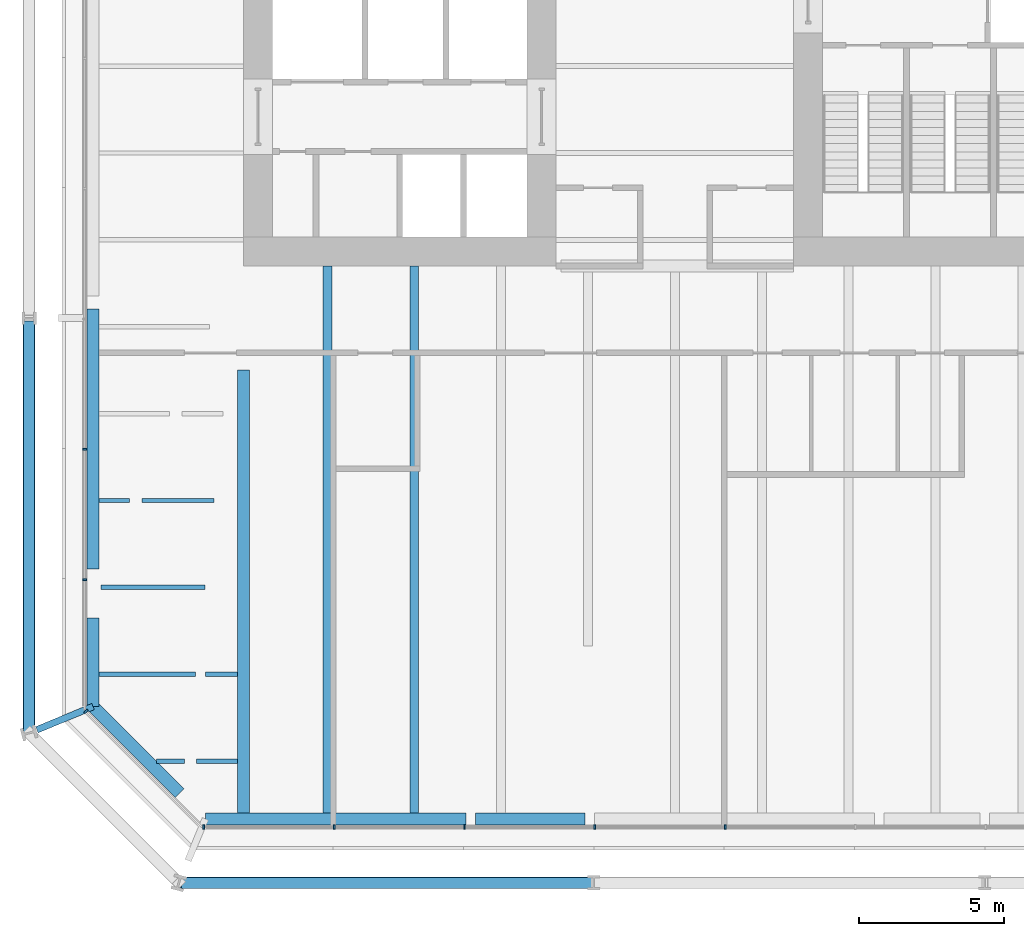
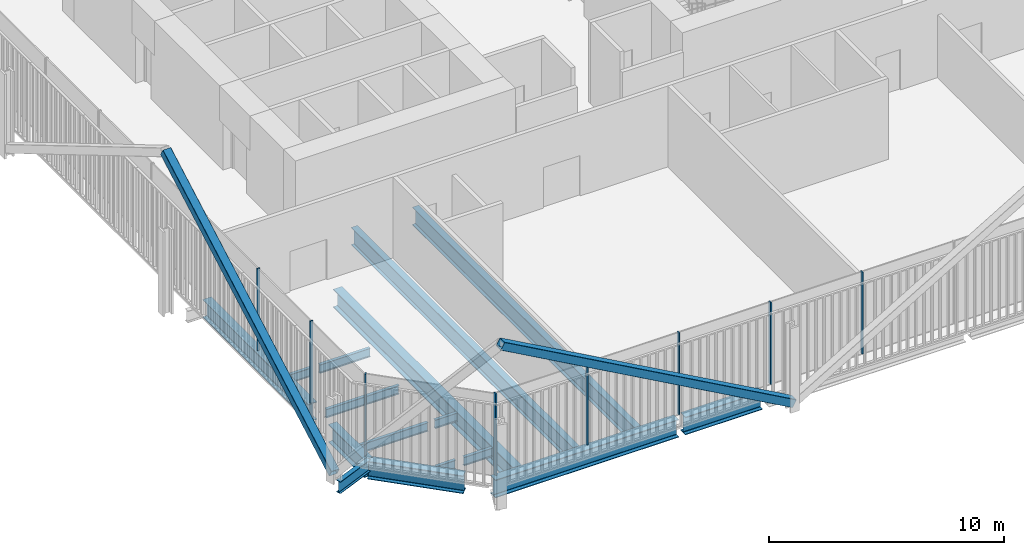
# One storey, part 2 of 21: 16 beams, 10 members, 3 elements without a shape of their own.
"""IFC4 building model written with IfcOpenShell, lengths in metres."""

from ifc_helpers import new_model, si_unit, direction, frame, origin, origin_2d, place, context, subcontext, project, spatial, rectangle, hollow_rectangle, i_section, extrude, material, layer, layer_set, material_profile, profile_set, type_object, element, aggregate, save


model = new_model("IFC4")

# Units and contexts
model_context = context("Model", 3, precision=1e-05, world=origin(), true_north=direction((0.0, 1.0)))
body_context = subcontext(model_context, "Body", "Model", "MODEL_VIEW")
ifc_project = project(units=[si_unit("LENGTHUNIT", "METRE"), si_unit("AREAUNIT", "SQUARE_METRE"), si_unit("VOLUMEUNIT", "CUBIC_METRE"), si_unit("PLANEANGLEUNIT", "RADIAN"), si_unit("MASSUNIT", "GRAM", prefix="KILO")], contexts=[model_context])

# Site, building, storey
site_placement = place(None, origin())
site = spatial("IfcSite", under=ifc_project, at=site_placement, CompositionType="ELEMENT")
building_placement = place(site_placement, origin())
building = spatial("IfcBuilding", under=site, at=building_placement, Name="Millrace Tower", CompositionType="ELEMENT")
storey_placement = place(building_placement, frame((0.0, 0.0, 73.199951171875)))
storey = spatial("IfcBuildingStorey", under=building, at=storey_placement, Name="L16", CompositionType="ELEMENT", Elevation=73.199951171875)

# Curtain wall, member
ifc_material_1 = material(Name="Aluminium and glass", Category="aluminium")
ifc_layer = layer(ifc_material_1, 0.14990234375)
ifc_layer_set = layer_set([ifc_layer], Name="Aluminium and glass")
curtain_wall_type = type_object("IfcCurtainWallType", Name="CW-3 telecom floor curtain wall", PredefinedType="NOTDEFINED", material=ifc_layer_set)
placement = place(storey_placement, origin())
curtain_wall_1 = element("IfcCurtainWall", 1, at=placement, inside=storey, type_object=curtain_wall_type, Name="Curtain wall B-F01 L16", PredefinedType="NOTDEFINED")
ifc_material_2 = material(Name="Aluminium", Category="aluminium")
ifc_material_profile_1 = material_profile(ifc_material_2, rectangle(XDim=0.06494140625, YDim=0.14990234375, at=origin_2d()))
ifc_profile_set_1 = profile_set([ifc_material_profile_1], Name="Aluminium")
member_type_1 = type_object("IfcMemberType", Name="CW-3 telecom floor curtain wall mullion", PredefinedType="MULLION", material=ifc_profile_set_1)
member_1_placement = place(storey_placement, frame((-20.330078125, -25.276123046875, 0.150146484375), z_axis=(0.0, 0.0, 1.0), x_axis=(0.707106781187, -0.707106781187, 0.0)))
member_1 = element("IfcMember", 2, at=member_1_placement, type_object=member_type_1, Name="CW3 mullion B-F01.1", PredefinedType="MULLION", context=body_context, shape_type="SweptSolid", body=[
    extrude(rectangle(XDim=0.06494140625, YDim=0.14990234375, at=origin_2d()), origin(), (0.0, 0.0, 1.0), 4.25),
])
aggregate(curtain_wall_1, [member_1])

# Curtain wall, members
curtain_wall_2 = element("IfcCurtainWall", 3, at=placement, inside=storey, type_object=curtain_wall_type, Name="Curtain wall B-F02 L16", PredefinedType="NOTDEFINED")
member_2_placement = place(storey_placement, frame((-16.267578125, -29.27490234375, 0.150146484375), z_axis=(0.0, 0.0, 1.0), x_axis=(1.0, 0.0, 0.0)))
member_2 = element("IfcMember", 4, at=member_2_placement, type_object=member_type_1, Name="CW3 mullion B-F02.1", PredefinedType="MULLION", context=body_context, shape_type="SweptSolid", body=[
    extrude(rectangle(XDim=0.06494140625, YDim=0.14990234375, at=origin_2d()), origin(), (0.0, 0.0, 1.0), 4.25),
])
member_3_placement = place(storey_placement, frame((-11.767578125, -29.27490234375, 0.150146484375), z_axis=(0.0, 0.0, 1.0), x_axis=(1.0, 0.0, 0.0)))
member_3 = element("IfcMember", 5, at=member_3_placement, type_object=member_type_1, Name="CW3 mullion B-F02.2", PredefinedType="MULLION", context=body_context, shape_type="SweptSolid", body=[
    extrude(rectangle(XDim=0.06494140625, YDim=0.14990234375, at=origin_2d()), origin(), (0.0, 0.0, 1.0), 4.25),
])
member_4_placement = place(storey_placement, frame((-7.267578125, -29.27490234375, 0.150146484375), z_axis=(0.0, 0.0, 1.0), x_axis=(1.0, 0.0, 0.0)))
member_4 = element("IfcMember", 6, at=member_4_placement, type_object=member_type_1, Name="CW3 mullion B-F02.3", PredefinedType="MULLION", context=body_context, shape_type="SweptSolid", body=[
    extrude(rectangle(XDim=0.06494140625, YDim=0.14990234375, at=origin_2d()), origin(), (0.0, 0.0, 1.0), 4.25),
])
member_5_placement = place(storey_placement, frame((-2.767578125, -29.27490234375, 0.150146484375), z_axis=(0.0, 0.0, 1.0), x_axis=(1.0, 0.0, 0.0)))
member_5 = element("IfcMember", 7, at=member_5_placement, type_object=member_type_1, Name="CW3 mullion B-F02.4", PredefinedType="MULLION", context=body_context, shape_type="SweptSolid", body=[
    extrude(rectangle(XDim=0.06494140625, YDim=0.14990234375, at=origin_2d()), origin(), (0.0, 0.0, 1.0), 4.25),
])
member_6_placement = place(storey_placement, frame((1.732421875, -29.27490234375, 0.150146484375), z_axis=(0.0, 0.0, 1.0), x_axis=(1.0, 0.0, 0.0)))
member_6 = element("IfcMember", 8, at=member_6_placement, type_object=member_type_1, Name="CW3 mullion B-F02.5", PredefinedType="MULLION", context=body_context, shape_type="SweptSolid", body=[
    extrude(rectangle(XDim=0.06494140625, YDim=0.14990234375, at=origin_2d()), origin(), (0.0, 0.0, 1.0), 4.25),
])
aggregate(curtain_wall_2, [member_2, member_3, member_4, member_5, member_6])

curtain_wall_3 = element("IfcCurtainWall", 9, at=placement, inside=storey, type_object=curtain_wall_type, Name="Curtain wall B-F08 L16", PredefinedType="NOTDEFINED")
member_7_placement = place(storey_placement, frame((-20.375, -16.232421875, 0.150146484375), z_axis=(0.0, 0.0, 1.0), x_axis=(0.0, -1.0, 0.0)))
member_7 = element("IfcMember", 10, at=member_7_placement, type_object=member_type_1, Name="CW3 mullion B-F08.8", PredefinedType="MULLION", context=body_context, shape_type="SweptSolid", body=[
    extrude(rectangle(XDim=0.06494140625, YDim=0.14990234375, at=origin_2d()), origin(), (0.0, 0.0, 1.0), 4.25),
])
member_8_placement = place(storey_placement, frame((-20.375, -20.732421875, 0.150146484375), z_axis=(0.0, 0.0, 1.0), x_axis=(0.0, -1.0, 0.0)))
member_8 = element("IfcMember", 11, at=member_8_placement, type_object=member_type_1, Name="CW3 mullion B-F08.9", PredefinedType="MULLION", context=body_context, shape_type="SweptSolid", body=[
    extrude(rectangle(XDim=0.06494140625, YDim=0.14990234375, at=origin_2d()), origin(), (0.0, 0.0, 1.0), 4.25),
])
aggregate(curtain_wall_3, [member_7, member_8])

# Members
ifc_material_3 = material(Name="Steel ASTM A500 Grade C", Category="steel")
ifc_material_profile_2 = material_profile(ifc_material_3, hollow_rectangle(XDim=0.406494140625, YDim=0.406494140625, WallThickness=0.015869140625, InnerFilletRadius=0.008056640625, OuterFilletRadius=0.02392578125, at=origin_2d()))
ifc_profile_set_2 = profile_set([ifc_material_profile_2], Name="Steel ASTM A500 Grade C")
member_type_2 = type_object("IfcMemberType", Name="Exoskeleton brace HSS16x16x5/8", PredefinedType="BRACE", material=ifc_profile_set_2)
for number, where, z_axis, x_axis, name in (
    (12, (-2.800048828125, -31.199951171875, 0.400146484375), (-0.873125840427, 0.0, 0.487494888976), (0.0, -1.0, 0.0), "BRC-B-L16-02"),
    (13, (-22.300048828125, -26.0283203125, 0.400146484375), (0.0, 0.873125840427, 0.487494888976), (-1.0, 0.0, 0.0), "BRC-B-L16-16"),
):
    element("IfcMember", number, at=place(storey_placement, frame(where, z_axis=z_axis, x_axis=x_axis)), inside=storey, type_object=member_type_2, Name=name, PredefinedType="BRACE", context=body_context, shape_type="SweptSolid", body=[
        extrude(hollow_rectangle(XDim=0.406494140625, YDim=0.406494140625, WallThickness=0.015869140625, InnerFilletRadius=0.008056640625, OuterFilletRadius=0.02392578125, at=origin_2d()), origin(), (0.0, 0.0, 1.0), 16.410400390625),
    ])

# Beams
ifc_material_4 = material(Name="Steel ASTM A992 Grade 50", Category="steel")
ifc_material_profile_3 = material_profile(ifc_material_4, i_section(OverallWidth=0.15234375, OverallDepth=0.449462890625, WebThickness=0.007568359375, FlangeThickness=0.0107421875, FilletRadius=0.01025390625, at=origin_2d()))
ifc_profile_set_3 = profile_set([ifc_material_profile_3], Name="Steel ASTM A992 Grade 50")
beam_type_1 = type_object("IfcBeamType", Name="Floor beam W18x35", PredefinedType="JOIST", material=ifc_profile_set_3)
beam_1_placement = place(storey_placement, frame((-19.880859375, -24.0, -0.4248046875), z_axis=(1.0, 0.0, 0.0), x_axis=(0.0, 1.0, 0.0)))
element("IfcBeam", 14, at=beam_1_placement, inside=storey, type_object=beam_type_1, Name="BM-B-L16-S1-S003-a", PredefinedType="JOIST", context=body_context, shape_type="SweptSolid", body=[
    extrude(i_section(OverallWidth=0.15234375, OverallDepth=0.449462890625, WebThickness=0.007568359375, FlangeThickness=0.0107421875, FilletRadius=0.01025390625, at=origin_2d()), origin(), (0.0, 0.0, 1.0), 3.3349609375),
])
beam_2_placement = place(storey_placement, frame((-16.204345703125, -24.0, -0.4248046875), z_axis=(1.0, 0.0, 0.0), x_axis=(0.0, 1.0, 0.0)))
element("IfcBeam", 15, at=beam_2_placement, inside=storey, type_object=beam_type_1, Name="BM-B-L16-S1-S003-b", PredefinedType="JOIST", context=body_context, shape_type="SweptSolid", body=[
    extrude(i_section(OverallWidth=0.15234375, OverallDepth=0.449462890625, WebThickness=0.007568359375, FlangeThickness=0.0107421875, FilletRadius=0.01025390625, at=origin_2d()), origin(), (0.0, 0.0, 1.0), 1.093505859375),
])
beam_3_placement = place(storey_placement, frame((-19.880859375, -18.0, -0.4248046875), z_axis=(1.0, 0.0, 0.0), x_axis=(0.0, 1.0, 0.0)))
element("IfcBeam", 16, at=beam_3_placement, inside=storey, type_object=beam_type_1, Name="BM-B-L16-S1-S007-a", PredefinedType="JOIST", context=body_context, shape_type="SweptSolid", body=[
    extrude(i_section(OverallWidth=0.15234375, OverallDepth=0.449462890625, WebThickness=0.007568359375, FlangeThickness=0.0107421875, FilletRadius=0.01025390625, at=origin_2d()), origin(), (0.0, 0.0, 1.0), 1.051025390625),
])
beam_4_placement = place(storey_placement, frame((-17.895263671875, -27.0, -0.4248046875), z_axis=(1.0, 0.0, 0.0), x_axis=(0.0, 1.0, 0.0)))
element("IfcBeam", 17, at=beam_4_placement, inside=storey, type_object=beam_type_1, Name="BM-B-L16-S1-S001-a", PredefinedType="JOIST", context=body_context, shape_type="SweptSolid", body=[
    extrude(i_section(OverallWidth=0.15234375, OverallDepth=0.449462890625, WebThickness=0.007568359375, FlangeThickness=0.0107421875, FilletRadius=0.01025390625, at=origin_2d()), origin(), (0.0, 0.0, 1.0), 0.967529296875),
])
beam_5_placement = place(storey_placement, frame((-16.518310546875, -27.0, -0.4248046875), z_axis=(1.0, 0.0, 0.0), x_axis=(0.0, 1.0, 0.0)))
element("IfcBeam", 18, at=beam_5_placement, inside=storey, type_object=beam_type_1, Name="BM-B-L16-S1-S001-b", PredefinedType="JOIST", context=body_context, shape_type="SweptSolid", body=[
    extrude(i_section(OverallWidth=0.15234375, OverallDepth=0.449462890625, WebThickness=0.007568359375, FlangeThickness=0.0107421875, FilletRadius=0.01025390625, at=origin_2d()), origin(), (0.0, 0.0, 1.0), 1.407470703125),
])
beam_6_placement = place(storey_placement, frame((-19.8154296875, -21.0, -0.4248046875), z_axis=(1.0, 0.0, 0.0), x_axis=(0.0, 1.0, 0.0)))
element("IfcBeam", 19, at=beam_6_placement, inside=storey, type_object=beam_type_1, Name="BM-B-L16-S1-S005", PredefinedType="JOIST", context=body_context, shape_type="SweptSolid", body=[
    extrude(i_section(OverallWidth=0.15234375, OverallDepth=0.449462890625, WebThickness=0.007568359375, FlangeThickness=0.0107421875, FilletRadius=0.01025390625, at=origin_2d()), origin(), (0.0, 0.0, 1.0), 3.583251953125),
])
beam_7_placement = place(storey_placement, frame((-18.403076171875, -18.0, -0.4248046875), z_axis=(1.0, 0.0, 0.0), x_axis=(0.0, 1.0, 0.0)))
element("IfcBeam", 20, at=beam_7_placement, inside=storey, type_object=beam_type_1, Name="BM-B-L16-S1-S007-b", PredefinedType="JOIST", context=body_context, shape_type="SweptSolid", body=[
    extrude(i_section(OverallWidth=0.15234375, OverallDepth=0.449462890625, WebThickness=0.007568359375, FlangeThickness=0.0107421875, FilletRadius=0.01025390625, at=origin_2d()), origin(), (0.0, 0.0, 1.0), 2.48486328125),
])
ifc_material_5 = material(Name="Steel ASTM A992 Grade 50", Category="steel")
ifc_material_profile_4 = material_profile(ifc_material_5, i_section(OverallWidth=0.307373046875, OverallDepth=0.927001953125, WebThickness=0.01953125, FlangeThickness=0.031982421875, FilletRadius=0.01904296875, at=origin_2d()))
ifc_profile_set_4 = profile_set([ifc_material_profile_4], Name="Steel ASTM A992 Grade 50")
beam_type_2 = type_object("IfcBeamType", Name="Floor beam W36x194", PredefinedType="JOIST", material=ifc_profile_set_4)
for number, where, z_axis, x_axis, name in (
    (21, (-12.0, -28.781005859375, -0.66357421875), (0.0, 1.0, 0.0), (-1.0, 0.0, 0.0), "BM-B-L16-S1-S041"),
    (22, (-9.0, -28.781005859375, -0.66357421875), (0.0, 1.0, 0.0), (-1.0, 0.0, 0.0), "BM-B-L16-S1-S043"),
):
    element("IfcBeam", number, at=place(storey_placement, frame(where, z_axis=z_axis, x_axis=x_axis)), inside=storey, type_object=beam_type_2, Name=name, PredefinedType="JOIST", context=body_context, shape_type="SweptSolid", body=[
        extrude(i_section(OverallWidth=0.307373046875, OverallDepth=0.927001953125, WebThickness=0.01953125, FlangeThickness=0.031982421875, FilletRadius=0.01904296875, at=origin_2d()), origin(), (0.0, 0.0, 1.0), 18.881103515625),
    ])
ifc_material_6 = material(Name="Steel ASTM A992 Grade 50", Category="steel")
ifc_material_profile_5 = material_profile(ifc_material_6, i_section(OverallWidth=0.424072265625, OverallDepth=0.947509765625, WebThickness=0.02392578125, FlangeThickness=0.042724609375, FilletRadius=0.024169921875, at=origin_2d()))
ifc_profile_set_5 = profile_set([ifc_material_profile_5], Name="Steel ASTM A992 Grade 50")
beam_type_3 = type_object("IfcBeamType", Name="Girder medium span W36x302", PredefinedType="BEAM", material=ifc_profile_set_5)
beam_8_placement = place(storey_placement, frame((-14.89990234375, -28.781005859375, -0.673583984375), z_axis=(0.0, 1.0, 0.0), x_axis=(-1.0, 0.0, 0.0)))
element("IfcBeam", 23, at=beam_8_placement, inside=storey, type_object=beam_type_3, Name="BM-B-L16-S1-G059-a", PredefinedType="BEAM", context=body_context, shape_type="SweptSolid", body=[
    extrude(i_section(OverallWidth=0.424072265625, OverallDepth=0.947509765625, WebThickness=0.02392578125, FlangeThickness=0.042724609375, FilletRadius=0.024169921875, at=origin_2d()), origin(), (0.0, 0.0, 1.0), 15.292724609375),
])
ifc_material_7 = material(Name="Steel ASTM A992 Grade 50", Category="steel")
ifc_material_profile_6 = material_profile(ifc_material_7, i_section(OverallWidth=0.23046875, OverallDepth=0.6171875, WebThickness=0.01318359375, FlangeThickness=0.022216796875, FilletRadius=0.012939453125, at=origin_2d()))
ifc_profile_set_6 = profile_set([ifc_material_profile_6], Name="Steel ASTM A992 Grade 50")
beam_type_4 = type_object("IfcBeamType", Name="Link beam W24x94", PredefinedType="BEAM", material=ifc_profile_set_6)
beam_9_placement = place(storey_placement, frame((-20.09033203125, -25.11328125, -0.508544921875), z_axis=(-0.923890634125, -0.382656629598, 0.0), x_axis=(0.382656629598, -0.923890634125, 0.0)))
element("IfcBeam", 24, at=beam_9_placement, inside=storey, type_object=beam_type_4, Name="LNK-B-L16-S1-01", PredefinedType="BEAM", context=body_context, shape_type="SweptSolid", body=[
    extrude(i_section(OverallWidth=0.23046875, OverallDepth=0.6171875, WebThickness=0.01318359375, FlangeThickness=0.022216796875, FilletRadius=0.012939453125, at=origin_2d()), origin(), (0.0, 0.0, 1.0), 2.098388671875),
])
ifc_material_8 = material(Name="Steel ASTM A992 Grade 50", Category="steel")
ifc_material_profile_7 = material_profile(ifc_material_8, i_section(OverallWidth=0.419189453125, OverallDepth=0.927001953125, WebThickness=0.019287109375, FlangeThickness=0.031982421875, FilletRadius=0.024169921875, at=origin_2d()))
ifc_profile_set_7 = profile_set([ifc_material_profile_7], Name="Steel ASTM A992 Grade 50")
beam_type_5 = type_object("IfcBeamType", Name="Ring beam short span W36x231", PredefinedType="SPANDREL", material=ifc_profile_set_7)
beam_10_placement = place(storey_placement, frame((-20.09033203125, -25.11328125, -0.66357421875), z_axis=(0.0, 1.0, 0.0), x_axis=(-1.0, 0.0, 0.0)))
element("IfcBeam", 25, at=beam_10_placement, inside=storey, type_object=beam_type_5, Name="RNG-B-L16-S1-01-a", PredefinedType="SPANDREL", context=body_context, shape_type="SweptSolid", body=[
    extrude(i_section(OverallWidth=0.419189453125, OverallDepth=0.927001953125, WebThickness=0.019287109375, FlangeThickness=0.031982421875, FilletRadius=0.024169921875, at=origin_2d()), origin(), (0.0, 0.0, 1.0), 3.05126953125),
])
beam_11_placement = place(storey_placement, frame((-20.09033203125, -20.363525390625, -0.66357421875), z_axis=(0.0, 1.0, 0.0), x_axis=(-1.0, 0.0, 0.0)))
element("IfcBeam", 26, at=beam_11_placement, inside=storey, type_object=beam_type_5, Name="RNG-B-L16-S1-01-b", PredefinedType="SPANDREL", context=body_context, shape_type="SweptSolid", body=[
    extrude(i_section(OverallWidth=0.419189453125, OverallDepth=0.927001953125, WebThickness=0.019287109375, FlangeThickness=0.031982421875, FilletRadius=0.024169921875, at=origin_2d()), origin(), (0.0, 0.0, 1.0), 8.983642578125),
])
beam_12_placement = place(storey_placement, frame((-7.212890625, -28.990478515625, -0.66357421875), z_axis=(-1.0, 0.0, 0.0), x_axis=(0.0, -1.0, 0.0)))
element("IfcBeam", 27, at=beam_12_placement, inside=storey, type_object=beam_type_5, Name="RNG-B-L16-S1-15-b", PredefinedType="SPANDREL", context=body_context, shape_type="SweptSolid", body=[
    extrude(i_section(OverallWidth=0.419189453125, OverallDepth=0.927001953125, WebThickness=0.019287109375, FlangeThickness=0.031982421875, FilletRadius=0.024169921875, at=origin_2d()), origin(), (0.0, 0.0, 1.0), 9.000244140625),
])
beam_13_placement = place(storey_placement, frame((-17.10205078125, -28.1015625, -0.66357421875), z_axis=(-0.707106781187, 0.707106781187, 0.0), x_axis=(-0.707106781187, -0.707106781187, 0.0)))
element("IfcBeam", 28, at=beam_13_placement, inside=storey, type_object=beam_type_5, Name="RNG-B-L16-S1-16", PredefinedType="SPANDREL", context=body_context, shape_type="SweptSolid", body=[
    extrude(i_section(OverallWidth=0.419189453125, OverallDepth=0.927001953125, WebThickness=0.019287109375, FlangeThickness=0.031982421875, FilletRadius=0.024169921875, at=origin_2d()), origin(), (0.0, 0.0, 1.0), 4.22607421875),
])
beam_14_placement = place(storey_placement, frame((-3.096435546875, -28.990478515625, -0.66357421875), z_axis=(-1.0, 0.0, 0.0), x_axis=(0.0, -1.0, 0.0)))
element("IfcBeam", 29, at=beam_14_placement, inside=storey, type_object=beam_type_5, Name="RNG-B-L16-S1-15-a", PredefinedType="SPANDREL", context=body_context, shape_type="SweptSolid", body=[
    extrude(i_section(OverallWidth=0.419189453125, OverallDepth=0.927001953125, WebThickness=0.019287109375, FlangeThickness=0.031982421875, FilletRadius=0.024169921875, at=origin_2d()), origin(), (0.0, 0.0, 1.0), 3.790771484375),
])

save(model, "model.ifc")
